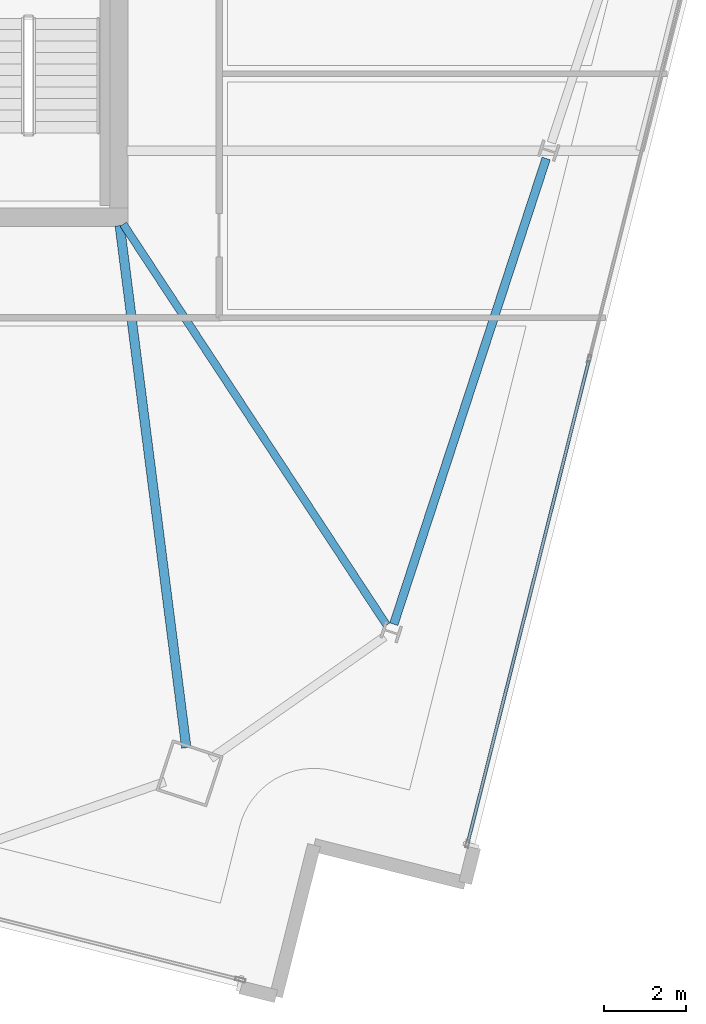
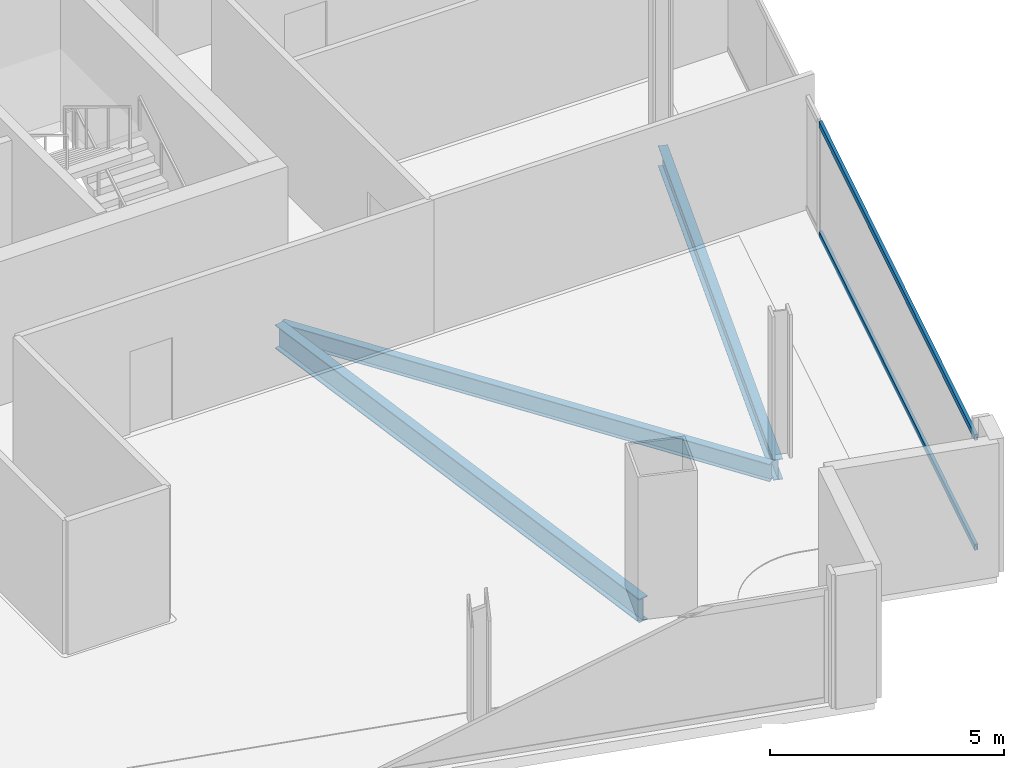
# One storey, part 9 of 28: 3 beams, 2 members, 1 element without a shape of its own.
"""IFC4 building model written with IfcOpenShell, lengths in metres."""

from ifc_helpers import new_model, si_unit, direction, frame, origin, origin_2d, place, context, subcontext, project, spatial, hollow_rectangle, i_section, extrude, material, material_profile, profile_set, type_object, element, aggregate, save


model = new_model("IFC4")

# Units and contexts
model_context = context("Model", 3, precision=1e-05, world=origin(), true_north=direction((0.0, 1.0)))
body_context = subcontext(model_context, "Body", "Model", "MODEL_VIEW")
ifc_project = project(units=[si_unit("LENGTHUNIT", "METRE"), si_unit("AREAUNIT", "SQUARE_METRE"), si_unit("VOLUMEUNIT", "CUBIC_METRE"), si_unit("PLANEANGLEUNIT", "RADIAN"), si_unit("MASSUNIT", "GRAM", prefix="KILO")], contexts=[model_context])

# Site, building, storey
site_placement = place(None, origin())
site = spatial("IfcSite", under=ifc_project, at=site_placement, CompositionType="ELEMENT")
building_placement = place(site_placement, origin())
building = spatial("IfcBuilding", under=site, at=building_placement, Name="Haldenkirk Collegiate Tower", CompositionType="ELEMENT")
storey_placement = place(building_placement, frame((0.0, 0.0, 282.449951171875)))
storey = spatial("IfcBuildingStorey", under=building, at=storey_placement, Name="L71", CompositionType="ELEMENT", Elevation=282.449951171875)

# Beams
ifc_material_1 = material(Name="Steel ASTM A992 Grade 50", Category="steel")
ifc_material_profile_1 = material_profile(ifc_material_1, i_section(OverallWidth=0.22998046875, OverallDepth=0.616943359375, WebThickness=0.01318359375, FlangeThickness=0.022216796875, at=origin_2d()), Name="W24X94")
ifc_profile_set_1 = profile_set([ifc_material_profile_1], Name="Steel ASTM A992 Grade 50")
beam_type_1 = type_object("IfcBeamType", Name="BM-GIRDER-W24X94", PredefinedType="BEAM", material=ifc_profile_set_1)
beam_1_placement = place(storey_placement, frame((46.6484375, 5.0693359375, -0.578369140625), z_axis=(-0.126462976839, 0.991971327957, 0.0), x_axis=(-0.991971327957, -0.126462976839, 0.0)))
element("IfcBeam", 1, at=beam_1_placement, inside=storey, type_object=beam_type_1, Name="L71 primary floor girder 01", PredefinedType="BEAM", context=body_context, shape_type="SweptSolid", body=[
    extrude(i_section(OverallWidth=0.22998046875, OverallDepth=0.616943359375, WebThickness=0.01318359375, FlangeThickness=0.022216796875, at=origin_2d()), origin(), (0.0, 0.0, 1.0), 12.830322265625),
])
ifc_material_profile_2 = material_profile(ifc_material_1, i_section(OverallWidth=0.18994140625, OverallDepth=0.45703125, WebThickness=0.009033203125, FlangeThickness=0.014404296875, at=origin_2d()), Name="W18X50")
ifc_profile_set_2 = profile_set([ifc_material_profile_2], Name="Steel ASTM A992 Grade 50")
beam_type_2 = type_object("IfcBeamType", Name="BM-JOIST-W18X50", PredefinedType="JOIST", material=ifc_profile_set_2)
beam_2_placement = place(storey_placement, frame((51.53173828125, 8.057861328125, -0.49853515625), z_axis=(-0.549082872731, 0.835767909693, 0.0), x_axis=(-0.835767909693, -0.549082872731, 0.0)))
element("IfcBeam", 2, at=beam_2_placement, inside=storey, type_object=beam_type_2, Name="L71 composite floor joist 05", PredefinedType="JOIST", context=body_context, shape_type="SweptSolid", body=[
    extrude(i_section(OverallWidth=0.18994140625, OverallDepth=0.45703125, WebThickness=0.009033203125, FlangeThickness=0.014404296875, at=origin_2d()), origin(), (0.0, 0.0, 1.0), 11.690673828125),
])
ifc_material_profile_3 = material_profile(ifc_material_1, i_section(OverallWidth=0.2099609375, OverallDepth=0.537109375, WebThickness=0.010986328125, FlangeThickness=0.017333984375, at=origin_2d()), Name="W21X68")
ifc_profile_set_3 = profile_set([ifc_material_profile_3], Name="Steel ASTM A992 Grade 50")
beam_type_3 = type_object("IfcBeamType", Name="BM-SPANDREL-W21X68", PredefinedType="SPANDREL", material=ifc_profile_set_3)
beam_3_placement = place(storey_placement, frame((51.7060546875, 8.081298828125, -0.538330078125), z_axis=(0.311010188249, 0.950406577631, 0.0), x_axis=(-0.950406577631, 0.311010188249, 0.0)))
element("IfcBeam", 3, at=beam_3_placement, inside=storey, type_object=beam_type_3, Name="L71 perimeter spandrel beam 02", PredefinedType="SPANDREL", context=body_context, shape_type="SweptSolid", body=[
    extrude(i_section(OverallWidth=0.2099609375, OverallDepth=0.537109375, WebThickness=0.010986328125, FlangeThickness=0.017333984375, at=origin_2d()), origin(), (0.0, 0.0, 1.0), 11.94287109375),
])

# Curtain wall, members
ifc_material_2 = material(Name="Anodised architectural bronze aluminium", Category="aluminium")
curtain_wall_type = type_object("IfcCurtainWallType", Name="CW-SYS2-CONCAVE", PredefinedType="USERDEFINED", material=ifc_material_2)
curtain_wall_placement = place(storey_placement, origin())
curtain_wall = element("IfcCurtainWall", 4, at=curtain_wall_placement, inside=storey, type_object=curtain_wall_type, Name="L71 South concave recessed bronze-anodised curtain wall", ObjectType="UNITISED CURTAIN WALL", PredefinedType="USERDEFINED")
ifc_material_profile_4 = material_profile(ifc_material_2, hollow_rectangle(XDim=0.074951171875, YDim=0.159912109375, WallThickness=0.0048828125, at=origin_2d()), Name="CW-TRN-02")
ifc_profile_set_4 = profile_set([ifc_material_profile_4], Name="Anodised architectural bronze aluminium")
member_type = type_object("IfcMemberType", Name="CW-TRN-02", PredefinedType="USERDEFINED", material=ifc_profile_set_4)
member_1_placement = place(storey_placement, frame((56.46337890625, 14.5146484375, 0.03759765625), z_axis=(-0.243601839358, -0.969875323875, 0.0), x_axis=(0.969875323875, -0.243601839358, 0.0)))
member_1 = element("IfcMember", 5, at=member_1_placement, type_object=member_type, Name="CW-02 transom 3.1", ObjectType="TRANSOM", PredefinedType="USERDEFINED", context=body_context, shape_type="SweptSolid", body=[
    extrude(hollow_rectangle(XDim=0.074951171875, YDim=0.159912109375, WallThickness=0.0048828125, at=origin_2d()), origin(), (0.0, 0.0, 1.0), 12.120849609375),
])
member_2_placement = place(storey_placement, frame((56.46337890625, 14.5146484375, 2.900634765625), z_axis=(-0.243601839358, -0.969875323875, 0.0), x_axis=(0.969875323875, -0.243601839358, 0.0)))
member_2 = element("IfcMember", 6, at=member_2_placement, type_object=member_type, Name="CW-02 transom 3.2", ObjectType="TRANSOM", PredefinedType="USERDEFINED", context=body_context, shape_type="SweptSolid", body=[
    extrude(hollow_rectangle(XDim=0.074951171875, YDim=0.159912109375, WallThickness=0.0048828125, at=origin_2d()), origin(), (0.0, 0.0, 1.0), 12.120849609375),
])
aggregate(curtain_wall, [member_1, member_2])

save(model, "model.ifc")
